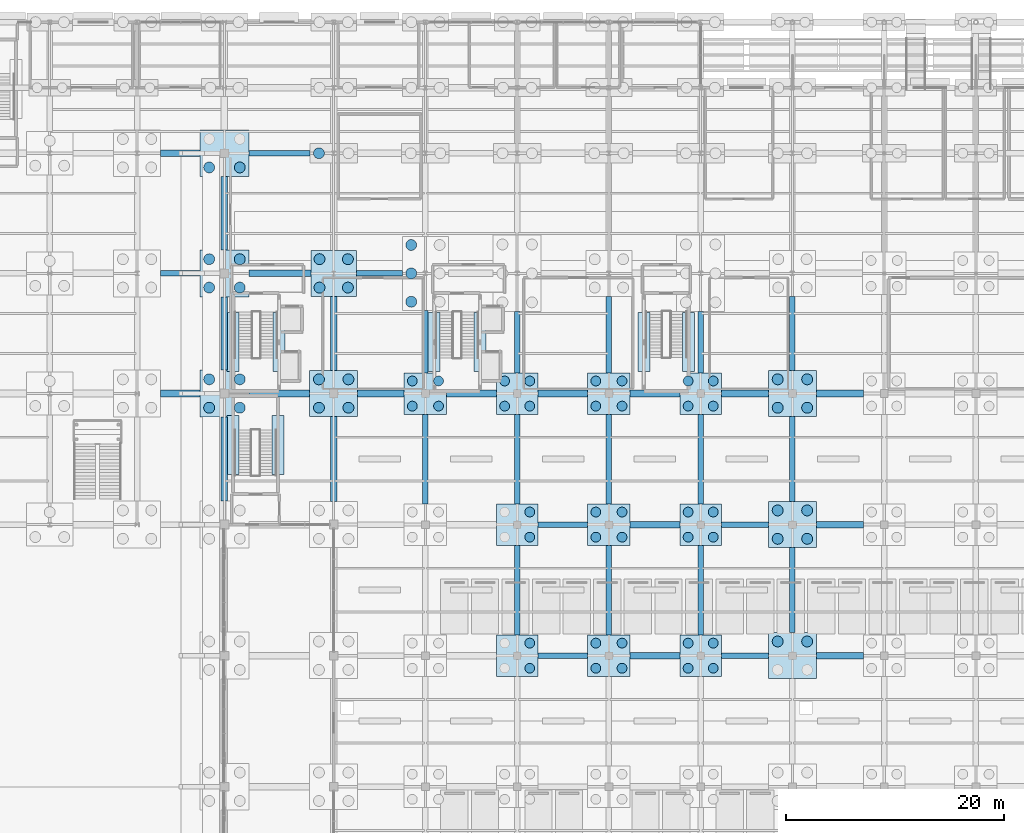
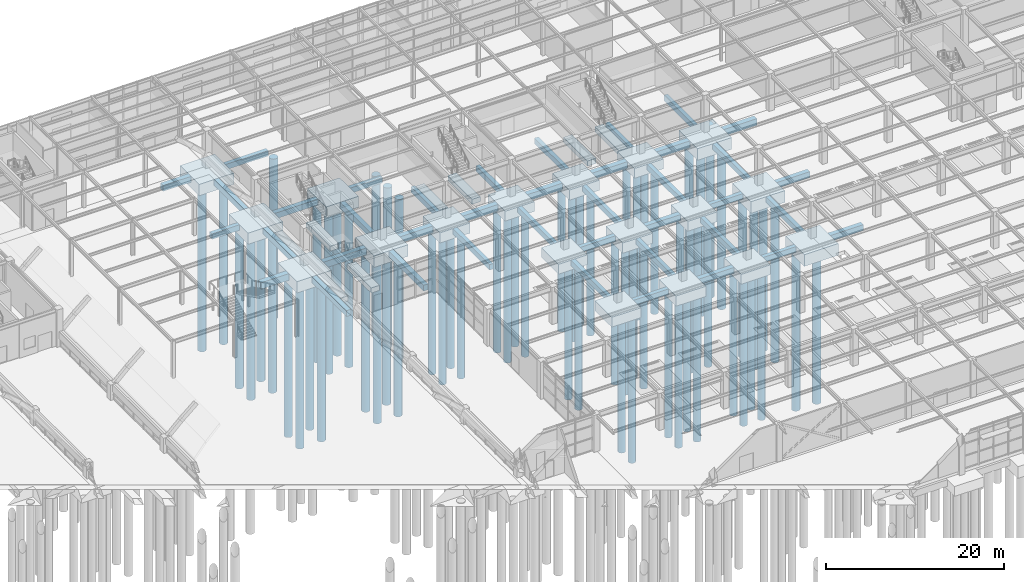
# One storey, part 7 of 129: 68 piles, 66 footings.
"""IFC4 building model written with IfcOpenShell, lengths in metres."""

from ifc_helpers import new_model, si_unit, direction, frame, origin, origin_2d, place, context, subcontext, project, spatial, rectangle, circle, extrude, material, material_profile, profile_set, type_object, element, save


model = new_model("IFC4")

# Units and contexts
model_context = context("Model", 3, precision=1e-05, world=origin(), true_north=direction((0.0, 1.0)))
body_context = subcontext(model_context, "Body", "Model", "MODEL_VIEW")
ifc_project = project(units=[si_unit("LENGTHUNIT", "METRE"), si_unit("AREAUNIT", "SQUARE_METRE"), si_unit("VOLUMEUNIT", "CUBIC_METRE"), si_unit("PLANEANGLEUNIT", "RADIAN"), si_unit("MASSUNIT", "GRAM", prefix="KILO")], contexts=[model_context])

# Site, building, storey
site_placement = place(None, origin())
site = spatial("IfcSite", under=ifc_project, at=site_placement, CompositionType="ELEMENT")
building_placement = place(site_placement, origin())
building = spatial("IfcBuilding", under=site, at=building_placement, Name="Sitalva Quay Ferry Terminal", CompositionType="ELEMENT")
storey_placement = place(building_placement, origin())
storey = spatial("IfcBuildingStorey", under=building, at=storey_placement, Name="L01", CompositionType="ELEMENT", Elevation=0.0)

# Footings
ifc_material_1 = material(Name="Concrete C35/45", Category="concrete")
ifc_material_profile_1 = material_profile(ifc_material_1, rectangle(XDim=0.5, YDim=0.75, at=origin_2d()), Name="RC500x750")
ifc_profile_set_1 = profile_set([ifc_material_profile_1], Name="Concrete C35/45")
footing_type_1 = type_object("IfcFootingType", Name="FootingBeam_500x750", PredefinedType="FOOTING_BEAM", material=ifc_profile_set_1)
footing_1_placement = place(storey_placement, frame((102.699951171875, 54.0, -0.824951171875), z_axis=(1.0, 0.0, 0.0), x_axis=(0.0, 1.0, 0.0)))
element("IfcFooting", 1, at=footing_1_placement, inside=storey, type_object=footing_type_1, Name="Foundation tie beam FBR1-X-087", PredefinedType="FOOTING_BEAM", context=body_context, shape_type="SweptSolid", body=[
    extrude(rectangle(XDim=0.5, YDim=0.75, at=origin_2d()), origin(), (0.0, 0.0, 1.0), 4.550048828125),
])
footing_2_placement = place(storey_placement, frame((119.5, 54.0, -0.824951171875), z_axis=(1.0, 0.0, 0.0), x_axis=(0.0, 1.0, 0.0)))
element("IfcFooting", 2, at=footing_2_placement, inside=storey, type_object=footing_type_1, Name="Foundation tie beam FBR1-X-089", PredefinedType="FOOTING_BEAM", context=body_context, shape_type="SweptSolid", body=[
    extrude(rectangle(XDim=0.5, YDim=0.75, at=origin_2d()), origin(), (0.0, 0.0, 1.0), 4.300048828125),
])
footing_3_placement = place(storey_placement, frame((102.699951171875, 66.0, -0.824951171875), z_axis=(1.0, 0.0, 0.0), x_axis=(0.0, 1.0, 0.0)))
element("IfcFooting", 3, at=footing_3_placement, inside=storey, type_object=footing_type_1, Name="Foundation tie beam FBR1-X-107", PredefinedType="FOOTING_BEAM", context=body_context, shape_type="SweptSolid", body=[
    extrude(rectangle(XDim=0.5, YDim=0.75, at=origin_2d()), origin(), (0.0, 0.0, 1.0), 4.550048828125),
])
footing_4_placement = place(storey_placement, frame((119.5, 66.0, -0.824951171875), z_axis=(1.0, 0.0, 0.0), x_axis=(0.0, 1.0, 0.0)))
element("IfcFooting", 4, at=footing_4_placement, inside=storey, type_object=footing_type_1, Name="Foundation tie beam FBR1-X-109", PredefinedType="FOOTING_BEAM", context=body_context, shape_type="SweptSolid", body=[
    extrude(rectangle(XDim=0.5, YDim=0.75, at=origin_2d()), origin(), (0.0, 0.0, 1.0), 4.300048828125),
])
footing_5_placement = place(storey_placement, frame((68.14990234375, 89.0, -0.824951171875), z_axis=(1.0, 0.0, 0.0), x_axis=(0.0, 1.0, 0.0)))
element("IfcFooting", 5, at=footing_5_placement, inside=storey, type_object=footing_type_1, Name="Foundation tie beam FBR1-X-143", PredefinedType="FOOTING_BEAM", context=body_context, shape_type="SweptSolid", body=[
    extrude(rectangle(XDim=0.5, YDim=0.75, at=origin_2d()), origin(), (0.0, 0.0, 1.0), 3.60009765625),
])
footing_6_placement = place(storey_placement, frame((86.10009765625, 89.0, -0.824951171875), z_axis=(1.0, 0.0, 0.0), x_axis=(0.0, 1.0, 0.0)))
element("IfcFooting", 6, at=footing_6_placement, inside=storey, type_object=footing_type_1, Name="Foundation tie beam FBR1-X-145", PredefinedType="FOOTING_BEAM", context=body_context, shape_type="SweptSolid", body=[
    extrude(rectangle(XDim=0.5, YDim=0.75, at=origin_2d()), origin(), (0.0, 0.0, 1.0), 4.199951171875),
])
footing_7_placement = place(storey_placement, frame((76.25, 100.0, -0.824951171875), z_axis=(1.0, 0.0, 0.0), x_axis=(0.0, 1.0, 0.0)))
element("IfcFooting", 7, at=footing_7_placement, inside=storey, type_object=footing_type_1, Name="Foundation tie beam FBR1-X-163", PredefinedType="FOOTING_BEAM", context=body_context, shape_type="SweptSolid", body=[
    extrude(rectangle(XDim=0.5, YDim=0.75, at=origin_2d()), origin(), (0.0, 0.0, 1.0), 5.574951171875),
])
footing_8_placement = place(storey_placement, frame((92.39990234375, 67.89990234375, -0.824951171875), z_axis=(0.0, 1.0, 0.0), x_axis=(-1.0, 0.0, 0.0)))
element("IfcFooting", 8, at=footing_8_placement, inside=storey, type_object=footing_type_1, Name="Foundation tie beam FBR1-Y-306", PredefinedType="FOOTING_BEAM", context=body_context, shape_type="SweptSolid", body=[
    extrude(rectangle(XDim=0.5, YDim=0.75, at=origin_2d()), origin(), (0.0, 0.0, 1.0), 8.2001953125),
])
footing_9_placement = place(storey_placement, frame((92.39990234375, 79.89990234375, -0.824951171875), z_axis=(0.0, 1.0, 0.0), x_axis=(-1.0, 0.0, 0.0)))
element("IfcFooting", 9, at=footing_9_placement, inside=storey, type_object=footing_type_1, Name="Foundation tie beam FBR1-Y-307", PredefinedType="FOOTING_BEAM", context=body_context, shape_type="SweptSolid", body=[
    extrude(rectangle(XDim=0.5, YDim=0.75, at=origin_2d()), origin(), (0.0, 0.0, 1.0), 5.7001953125),
])
for number, where, z_axis, x_axis, name in (
    (10, (100.800048828125, 55.89990234375, -0.824951171875), (0.0, 1.0, 0.0), (-1.0, 0.0, 0.0), "Foundation tie beam FBR1-Y-315"),
    (11, (100.800048828125, 67.89990234375, -0.824951171875), (0.0, 1.0, 0.0), (-1.0, 0.0, 0.0), "Foundation tie beam FBR1-Y-316"),
):
    element("IfcFooting", number, at=place(storey_placement, frame(where, z_axis=z_axis, x_axis=x_axis)), inside=storey, type_object=footing_type_1, Name=name, PredefinedType="FOOTING_BEAM", context=body_context, shape_type="SweptSolid", body=[
        extrude(rectangle(XDim=0.5, YDim=0.75, at=origin_2d()), origin(), (0.0, 0.0, 1.0), 8.2001953125),
    ])
footing_10_placement = place(storey_placement, frame((100.800048828125, 79.89990234375, -0.824951171875), z_axis=(0.0, 1.0, 0.0), x_axis=(-1.0, 0.0, 0.0)))
element("IfcFooting", 12, at=footing_10_placement, inside=storey, type_object=footing_type_1, Name="Foundation tie beam FBR1-Y-317", PredefinedType="FOOTING_BEAM", context=body_context, shape_type="SweptSolid", body=[
    extrude(rectangle(XDim=0.5, YDim=0.75, at=origin_2d()), origin(), (0.0, 0.0, 1.0), 5.60009765625),
])
for number, where, z_axis, x_axis, name in (
    (13, (109.199951171875, 55.89990234375, -0.824951171875), (0.0, 1.0, 0.0), (-1.0, 0.0, 0.0), "Foundation tie beam FBR1-Y-325"),
    (14, (109.199951171875, 67.89990234375, -0.824951171875), (0.0, 1.0, 0.0), (-1.0, 0.0, 0.0), "Foundation tie beam FBR1-Y-326"),
):
    element("IfcFooting", number, at=place(storey_placement, frame(where, z_axis=z_axis, x_axis=x_axis)), inside=storey, type_object=footing_type_1, Name=name, PredefinedType="FOOTING_BEAM", context=body_context, shape_type="SweptSolid", body=[
        extrude(rectangle(XDim=0.5, YDim=0.75, at=origin_2d()), origin(), (0.0, 0.0, 1.0), 8.2001953125),
    ])
footing_11_placement = place(storey_placement, frame((109.199951171875, 79.89990234375, -0.824951171875), z_axis=(0.0, 1.0, 0.0), x_axis=(-1.0, 0.0, 0.0)))
element("IfcFooting", 15, at=footing_11_placement, inside=storey, type_object=footing_type_1, Name="Foundation tie beam FBR1-Y-327", PredefinedType="FOOTING_BEAM", context=body_context, shape_type="SweptSolid", body=[
    extrude(rectangle(XDim=0.5, YDim=0.75, at=origin_2d()), origin(), (0.0, 0.0, 1.0), 7.0),
])
for number, where, z_axis, x_axis, name in (
    (16, (117.60009765625, 55.89990234375, -0.824951171875), (0.0, 1.0, 0.0), (-1.0, 0.0, 0.0), "Foundation tie beam FBR1-Y-335"),
    (17, (117.60009765625, 67.89990234375, -0.824951171875), (0.0, 1.0, 0.0), (-1.0, 0.0, 0.0), "Foundation tie beam FBR1-Y-336"),
):
    element("IfcFooting", number, at=place(storey_placement, frame(where, z_axis=z_axis, x_axis=x_axis)), inside=storey, type_object=footing_type_1, Name=name, PredefinedType="FOOTING_BEAM", context=body_context, shape_type="SweptSolid", body=[
        extrude(rectangle(XDim=0.5, YDim=0.75, at=origin_2d()), origin(), (0.0, 0.0, 1.0), 8.2001953125),
    ])
footing_12_placement = place(storey_placement, frame((117.60009765625, 79.89990234375, -0.824951171875), z_axis=(0.0, 1.0, 0.0), x_axis=(-1.0, 0.0, 0.0)))
element("IfcFooting", 18, at=footing_12_placement, inside=storey, type_object=footing_type_1, Name="Foundation tie beam FBR1-Y-337", PredefinedType="FOOTING_BEAM", context=body_context, shape_type="SweptSolid", body=[
    extrude(rectangle(XDim=0.5, YDim=0.75, at=origin_2d()), origin(), (0.0, 0.0, 1.0), 5.60009765625),
])
for number, where, z_axis, x_axis, name in (
    (19, (126.0, 56.10009765625, -0.824951171875), (0.0, 1.0, 0.0), (-1.0, 0.0, 0.0), "Foundation tie beam FBR1-Y-345"),
    (20, (126.0, 68.10009765625, -0.824951171875), (0.0, 1.0, 0.0), (-1.0, 0.0, 0.0), "Foundation tie beam FBR1-Y-346"),
):
    element("IfcFooting", number, at=place(storey_placement, frame(where, z_axis=z_axis, x_axis=x_axis)), inside=storey, type_object=footing_type_1, Name=name, PredefinedType="FOOTING_BEAM", context=body_context, shape_type="SweptSolid", body=[
        extrude(rectangle(XDim=0.5, YDim=0.75, at=origin_2d()), origin(), (0.0, 0.0, 1.0), 7.7998046875),
    ])
footing_13_placement = place(storey_placement, frame((126.0, 80.10009765625, -0.824951171875), z_axis=(0.0, 1.0, 0.0), x_axis=(-1.0, 0.0, 0.0)))
element("IfcFooting", 21, at=footing_13_placement, inside=storey, type_object=footing_type_1, Name="Foundation tie beam FBR1-Y-347", PredefinedType="FOOTING_BEAM", context=body_context, shape_type="SweptSolid", body=[
    extrude(rectangle(XDim=0.5, YDim=0.75, at=origin_2d()), origin(), (0.0, 0.0, 1.0), 6.7998046875),
])
ifc_material_2 = material(Name="Concrete C35/45", Category="concrete")
ifc_material_profile_2 = material_profile(ifc_material_2, rectangle(XDim=0.60009765625, YDim=0.800048828125, at=origin_2d()), Name="RC600x800")
ifc_profile_set_2 = profile_set([ifc_material_profile_2], Name="Concrete C35/45")
footing_type_2 = type_object("IfcFootingType", Name="FootingBeam_600x800", PredefinedType="FOOTING_BEAM", material=ifc_profile_set_2)
footing_14_placement = place(storey_placement, frame((111.14990234375, 54.0, -0.85009765625), z_axis=(1.0, 0.0, 0.0), x_axis=(0.0, 1.0, 0.0)))
element("IfcFooting", 22, at=footing_14_placement, inside=storey, type_object=footing_type_2, Name="Foundation tie beam FBR1-X-088", PredefinedType="FOOTING_BEAM", context=body_context, shape_type="SweptSolid", body=[
    extrude(rectangle(XDim=0.60009765625, YDim=0.800048828125, at=origin_2d()), origin(), (0.0, 0.0, 1.0), 4.550048828125),
])
footing_15_placement = place(storey_placement, frame((128.199951171875, 54.0, -0.85009765625), z_axis=(1.0, 0.0, 0.0), x_axis=(0.0, 1.0, 0.0)))
element("IfcFooting", 23, at=footing_15_placement, inside=storey, type_object=footing_type_2, Name="Foundation tie beam FBR1-X-090", PredefinedType="FOOTING_BEAM", context=body_context, shape_type="SweptSolid", body=[
    extrude(rectangle(XDim=0.60009765625, YDim=0.800048828125, at=origin_2d()), origin(), (0.0, 0.0, 1.0), 4.300048828125),
])
footing_16_placement = place(storey_placement, frame((111.14990234375, 66.0, -0.85009765625), z_axis=(1.0, 0.0, 0.0), x_axis=(0.0, 1.0, 0.0)))
element("IfcFooting", 24, at=footing_16_placement, inside=storey, type_object=footing_type_2, Name="Foundation tie beam FBR1-X-108", PredefinedType="FOOTING_BEAM", context=body_context, shape_type="SweptSolid", body=[
    extrude(rectangle(XDim=0.60009765625, YDim=0.800048828125, at=origin_2d()), origin(), (0.0, 0.0, 1.0), 4.550048828125),
])
footing_17_placement = place(storey_placement, frame((128.199951171875, 66.0, -0.85009765625), z_axis=(1.0, 0.0, 0.0), x_axis=(0.0, 1.0, 0.0)))
element("IfcFooting", 25, at=footing_17_placement, inside=storey, type_object=footing_type_2, Name="Foundation tie beam FBR1-X-110", PredefinedType="FOOTING_BEAM", context=body_context, shape_type="SweptSolid", body=[
    extrude(rectangle(XDim=0.60009765625, YDim=0.800048828125, at=origin_2d()), origin(), (0.0, 0.0, 1.0), 4.300048828125),
])
footing_18_placement = place(storey_placement, frame((76.25, 89.0, -0.85009765625), z_axis=(1.0, 0.0, 0.0), x_axis=(0.0, 1.0, 0.0)))
element("IfcFooting", 26, at=footing_18_placement, inside=storey, type_object=footing_type_2, Name="Foundation tie beam FBR1-X-144", PredefinedType="FOOTING_BEAM", context=body_context, shape_type="SweptSolid", body=[
    extrude(rectangle(XDim=0.60009765625, YDim=0.800048828125, at=origin_2d()), origin(), (0.0, 0.0, 1.0), 5.64990234375),
])
footing_19_placement = place(storey_placement, frame((68.14990234375, 100.0, -0.85009765625), z_axis=(1.0, 0.0, 0.0), x_axis=(0.0, 1.0, 0.0)))
element("IfcFooting", 27, at=footing_19_placement, inside=storey, type_object=footing_type_2, Name="Foundation tie beam FBR1-X-162", PredefinedType="FOOTING_BEAM", context=body_context, shape_type="SweptSolid", body=[
    extrude(rectangle(XDim=0.60009765625, YDim=0.800048828125, at=origin_2d()), origin(), (0.0, 0.0, 1.0), 3.60009765625),
])
footing_20_placement = place(storey_placement, frame((74.0, 68.14990234375, -0.85009765625), z_axis=(0.0, 1.0, 0.0), x_axis=(-1.0, 0.0, 0.0)))
element("IfcFooting", 28, at=footing_20_placement, inside=storey, type_object=footing_type_2, Name="Foundation tie beam FBR1-Y-286", PredefinedType="FOOTING_BEAM", context=body_context, shape_type="SweptSolid", body=[
    extrude(rectangle(XDim=0.60009765625, YDim=0.800048828125, at=origin_2d()), origin(), (0.0, 0.0, 1.0), 7.7001953125),
])
for number, where, z_axis, x_axis, name in (
    (29, (74.0, 80.14990234375, -0.85009765625), (0.0, 1.0, 0.0), (-1.0, 0.0, 0.0), "Foundation tie beam FBR1-Y-287"),
    (30, (74.0, 91.14990234375, -0.85009765625), (0.0, 1.0, 0.0), (-1.0, 0.0, 0.0), "Foundation tie beam FBR1-Y-288"),
):
    element("IfcFooting", number, at=place(storey_placement, frame(where, z_axis=z_axis, x_axis=x_axis)), inside=storey, type_object=footing_type_2, Name=name, PredefinedType="FOOTING_BEAM", context=body_context, shape_type="SweptSolid", body=[
        extrude(rectangle(XDim=0.60009765625, YDim=0.800048828125, at=origin_2d()), origin(), (0.0, 0.0, 1.0), 6.7001953125),
    ])
footing_21_placement = place(storey_placement, frame((84.0, 68.10009765625, -0.85009765625), z_axis=(0.0, 1.0, 0.0), x_axis=(-1.0, 0.0, 0.0)))
element("IfcFooting", 31, at=footing_21_placement, inside=storey, type_object=footing_type_2, Name="Foundation tie beam FBR1-Y-296", PredefinedType="FOOTING_BEAM", context=body_context, shape_type="SweptSolid", body=[
    extrude(rectangle(XDim=0.60009765625, YDim=0.800048828125, at=origin_2d()), origin(), (0.0, 0.0, 1.0), 7.7998046875),
])
footing_22_placement = place(storey_placement, frame((84.0, 80.10009765625, -0.85009765625), z_axis=(0.0, 1.0, 0.0), x_axis=(-1.0, 0.0, 0.0)))
element("IfcFooting", 32, at=footing_22_placement, inside=storey, type_object=footing_type_2, Name="Foundation tie beam FBR1-Y-297", PredefinedType="FOOTING_BEAM", context=body_context, shape_type="SweptSolid", body=[
    extrude(rectangle(XDim=0.60009765625, YDim=0.800048828125, at=origin_2d()), origin(), (0.0, 0.0, 1.0), 6.7998046875),
])
ifc_material_3 = material(Name="Concrete C35/45", Category="concrete")
ifc_material_profile_3 = material_profile(ifc_material_3, rectangle(XDim=0.64990234375, YDim=0.89990234375, at=origin_2d()), Name="RC650x900")
ifc_profile_set_3 = profile_set([ifc_material_profile_3], Name="Concrete C35/45")
footing_type_3 = type_object("IfcFootingType", Name="FootingBeam_650x900", PredefinedType="FOOTING_BEAM", material=ifc_profile_set_3)
footing_23_placement = place(storey_placement, frame((68.14990234375, 78.0, -0.89990234375), z_axis=(1.0, 0.0, 0.0), x_axis=(0.0, 1.0, 0.0)))
element("IfcFooting", 33, at=footing_23_placement, inside=storey, type_object=footing_type_3, Name="Foundation tie beam FBR1-X-123", PredefinedType="FOOTING_BEAM", context=body_context, shape_type="SweptSolid", body=[
    extrude(rectangle(XDim=0.64990234375, YDim=0.89990234375, at=origin_2d()), origin(), (0.0, 0.0, 1.0), 3.60009765625),
])
footing_24_placement = place(storey_placement, frame((76.25, 78.0, -0.89990234375), z_axis=(1.0, 0.0, 0.0), x_axis=(0.0, 1.0, 0.0)))
element("IfcFooting", 34, at=footing_24_placement, inside=storey, type_object=footing_type_3, Name="Foundation tie beam FBR1-X-124", PredefinedType="FOOTING_BEAM", context=body_context, shape_type="SweptSolid", body=[
    extrude(rectangle(XDim=0.64990234375, YDim=0.89990234375, at=origin_2d()), origin(), (0.0, 0.0, 1.0), 5.550048828125),
])
footing_25_placement = place(storey_placement, frame((86.199951171875, 78.0, -0.89990234375), z_axis=(1.0, 0.0, 0.0), x_axis=(0.0, 1.0, 0.0)))
element("IfcFooting", 35, at=footing_25_placement, inside=storey, type_object=footing_type_3, Name="Foundation tie beam FBR1-X-125", PredefinedType="FOOTING_BEAM", context=body_context, shape_type="SweptSolid", body=[
    extrude(rectangle(XDim=0.64990234375, YDim=0.89990234375, at=origin_2d()), origin(), (0.0, 0.0, 1.0), 4.25),
])
footing_26_placement = place(storey_placement, frame((94.35009765625, 78.0, -0.89990234375), z_axis=(1.0, 0.0, 0.0), x_axis=(0.0, 1.0, 0.0)))
element("IfcFooting", 36, at=footing_26_placement, inside=storey, type_object=footing_type_3, Name="Foundation tie beam FBR1-X-126", PredefinedType="FOOTING_BEAM", context=body_context, shape_type="SweptSolid", body=[
    extrude(rectangle(XDim=0.64990234375, YDim=0.89990234375, at=origin_2d()), origin(), (0.0, 0.0, 1.0), 4.5498046875),
])
for number, where, z_axis, x_axis, name in (
    (37, (102.699951171875, 78.0, -0.89990234375), (1.0, 0.0, 0.0), (0.0, 1.0, 0.0), "Foundation tie beam FBR1-X-127"),
    (38, (111.14990234375, 78.0, -0.89990234375), (1.0, 0.0, 0.0), (0.0, 1.0, 0.0), "Foundation tie beam FBR1-X-128"),
):
    element("IfcFooting", number, at=place(storey_placement, frame(where, z_axis=z_axis, x_axis=x_axis)), inside=storey, type_object=footing_type_3, Name=name, PredefinedType="FOOTING_BEAM", context=body_context, shape_type="SweptSolid", body=[
        extrude(rectangle(XDim=0.64990234375, YDim=0.89990234375, at=origin_2d()), origin(), (0.0, 0.0, 1.0), 4.550048828125),
    ])
for number, where, z_axis, x_axis, name in (
    (39, (119.5, 78.0, -0.89990234375), (1.0, 0.0, 0.0), (0.0, 1.0, 0.0), "Foundation tie beam FBR1-X-129"),
    (40, (128.199951171875, 78.0, -0.89990234375), (1.0, 0.0, 0.0), (0.0, 1.0, 0.0), "Foundation tie beam FBR1-X-130"),
):
    element("IfcFooting", number, at=place(storey_placement, frame(where, z_axis=z_axis, x_axis=x_axis)), inside=storey, type_object=footing_type_3, Name=name, PredefinedType="FOOTING_BEAM", context=body_context, shape_type="SweptSolid", body=[
        extrude(rectangle(XDim=0.64990234375, YDim=0.89990234375, at=origin_2d()), origin(), (0.0, 0.0, 1.0), 4.300048828125),
    ])
ifc_material_4 = material(Name="Concrete C35/45", Category="concrete")
footing_type_4 = type_object("IfcFootingType", Name="PileCap_4P_D1000_A", PredefinedType="PILE_CAP", material=ifc_material_4)
footing_27_placement = place(storey_placement, frame((84.0, 89.0, -1.949951171875), z_axis=(0.0, 0.0, 1.0), x_axis=(1.0, 0.0, 0.0)))
element("IfcFooting", 41, at=footing_27_placement, inside=storey, type_object=footing_type_4, Name="Pile cap PC-03 at 11K", PredefinedType="PILE_CAP", context=body_context, shape_type="SweptSolid", body=[
    extrude(rectangle(XDim=4.199951171875, YDim=4.199951171875, at=origin_2d()), origin(), (0.0, 0.0, 1.0), 1.5),
])
ifc_material_5 = material(Name="Concrete C35/45", Category="concrete")
footing_type_5 = type_object("IfcFootingType", Name="PileCap_4P_D1000_C", PredefinedType="PILE_CAP", material=ifc_material_5)
for number, where, z_axis, x_axis, name in (
    (42, (126.0, 54.0, -2.050048828125), (0.0, 0.0, 1.0), (1.0, 0.0, 0.0), "Pile cap PC-05 at 16G"),
    (43, (126.0, 66.0, -2.050048828125), (0.0, 0.0, 1.0), (1.0, 0.0, 0.0), "Pile cap PC-05 at 16H"),
    (44, (84.0, 78.0, -2.050048828125), (0.0, 0.0, 1.0), (1.0, 0.0, 0.0), "Pile cap PC-05 at 11J"),
    (45, (126.0, 78.0, -2.050048828125), (0.0, 0.0, 1.0), (1.0, 0.0, 0.0), "Pile cap PC-05 at 16J"),
):
    element("IfcFooting", number, at=place(storey_placement, frame(where, z_axis=z_axis, x_axis=x_axis)), inside=storey, type_object=footing_type_5, Name=name, PredefinedType="PILE_CAP", context=body_context, shape_type="SweptSolid", body=[
        extrude(rectangle(XDim=4.39990234375, YDim=4.199951171875, at=origin_2d()), origin(), (0.0, 0.0, 1.0), 1.60009765625),
    ])
ifc_material_6 = material(Name="Concrete C35/45", Category="concrete")
footing_type_6 = type_object("IfcFootingType", Name="PileCap_4P_D1000_V1", PredefinedType="PILE_CAP", material=ifc_material_6)
for number, where, z_axis, x_axis, name in (
    (46, (74.0, 78.0, -2.0), (0.0, 0.0, 1.0), (1.0, 0.0, 0.0), "Pile cap PC-06 at 10J"),
    (47, (74.0, 89.0, -2.0), (0.0, 0.0, 1.0), (1.0, 0.0, 0.0), "Pile cap PC-06 at 10K"),
    (48, (74.0, 100.0, -2.0), (0.0, 0.0, 1.0), (1.0, 0.0, 0.0), "Pile cap PC-06 at 10L"),
):
    element("IfcFooting", number, at=place(storey_placement, frame(where, z_axis=z_axis, x_axis=x_axis)), inside=storey, type_object=footing_type_6, Name=name, PredefinedType="PILE_CAP", context=body_context, shape_type="SweptSolid", body=[
        extrude(rectangle(XDim=4.5, YDim=4.300048828125, at=origin_2d()), origin(), (0.0, 0.0, 1.0), 1.550048828125),
    ])
ifc_material_7 = material(Name="Concrete C35/45", Category="concrete")
footing_type_7 = type_object("IfcFootingType", Name="PileCap_4P_D900_A", PredefinedType="PILE_CAP", material=ifc_material_7)
for number, where, z_axis, x_axis, name in (
    (49, (100.800048828125, 54.0, -1.800048828125), (0.0, 0.0, 1.0), (1.0, 0.0, 0.0), "Pile cap PC-07 at 13G"),
    (50, (117.60009765625, 54.0, -1.800048828125), (0.0, 0.0, 1.0), (1.0, 0.0, 0.0), "Pile cap PC-07 at 15G"),
    (51, (100.800048828125, 66.0, -1.800048828125), (0.0, 0.0, 1.0), (1.0, 0.0, 0.0), "Pile cap PC-07 at 13H"),
    (52, (117.60009765625, 66.0, -1.800048828125), (0.0, 0.0, 1.0), (1.0, 0.0, 0.0), "Pile cap PC-07 at 15H"),
    (53, (100.800048828125, 78.0, -1.800048828125), (0.0, 0.0, 1.0), (1.0, 0.0, 0.0), "Pile cap PC-07 at 13J"),
    (54, (117.60009765625, 78.0, -1.800048828125), (0.0, 0.0, 1.0), (1.0, 0.0, 0.0), "Pile cap PC-07 at 15J"),
):
    element("IfcFooting", number, at=place(storey_placement, frame(where, z_axis=z_axis, x_axis=x_axis)), inside=storey, type_object=footing_type_7, Name=name, PredefinedType="PILE_CAP", context=body_context, shape_type="SweptSolid", body=[
        extrude(rectangle(XDim=3.800048828125, YDim=3.800048828125, at=origin_2d()), origin(), (0.0, 0.0, 1.0), 1.35009765625),
    ])
ifc_material_8 = material(Name="Concrete C35/45", Category="concrete")
footing_type_8 = type_object("IfcFootingType", Name="PileCap_4P_D900_B", PredefinedType="PILE_CAP", material=ifc_material_8)
for number, where, z_axis, x_axis, name in (
    (55, (109.199951171875, 54.0, -1.849853515625), (0.0, 0.0, 1.0), (1.0, 0.0, 0.0), "Pile cap PC-08 at 14G"),
    (56, (109.199951171875, 66.0, -1.849853515625), (0.0, 0.0, 1.0), (1.0, 0.0, 0.0), "Pile cap PC-08 at 14H"),
    (57, (92.39990234375, 78.0, -1.849853515625), (0.0, 0.0, 1.0), (1.0, 0.0, 0.0), "Pile cap PC-08 at 12J"),
    (58, (109.199951171875, 78.0, -1.849853515625), (0.0, 0.0, 1.0), (1.0, 0.0, 0.0), "Pile cap PC-08 at 14J"),
):
    element("IfcFooting", number, at=place(storey_placement, frame(where, z_axis=z_axis, x_axis=x_axis)), inside=storey, type_object=footing_type_8, Name=name, PredefinedType="PILE_CAP", context=body_context, shape_type="SweptSolid", body=[
        extrude(rectangle(XDim=3.89990234375, YDim=3.800048828125, at=origin_2d()), origin(), (0.0, 0.0, 1.0), 1.39990234375),
    ])

# Piles
ifc_material_9 = material(Name="Concrete C35/45", Category="concrete")
ifc_material_profile_4 = material_profile(ifc_material_9, circle(Radius=0.5, at=origin_2d()), Name="PILE-D1000")
ifc_profile_set_4 = profile_set([ifc_material_profile_4], Name="Concrete C35/45")
pile_type_1 = type_object("IfcPileType", Name="Pile_Bored_D1000", PredefinedType="BORED", material=ifc_profile_set_4)
for number, where, z_axis, x_axis, name in (
    (59, (124.64990234375, 55.300048828125, -1.949951171875), (0.0, 0.0, -1.0), (1.0, 0.0, 0.0), "Bored pile 16G-P3"),
    (60, (127.35009765625, 55.300048828125, -1.949951171875), (0.0, 0.0, -1.0), (1.0, 0.0, 0.0), "Bored pile 16G-P4"),
    (61, (124.64990234375, 64.699951171875, -1.949951171875), (0.0, 0.0, -1.0), (1.0, 0.0, 0.0), "Bored pile 16H-P1"),
    (62, (127.35009765625, 64.699951171875, -1.949951171875), (0.0, 0.0, -1.0), (1.0, 0.0, 0.0), "Bored pile 16H-P2"),
    (63, (124.64990234375, 67.300048828125, -1.949951171875), (0.0, 0.0, -1.0), (1.0, 0.0, 0.0), "Bored pile 16H-P3"),
    (64, (127.35009765625, 67.300048828125, -1.949951171875), (0.0, 0.0, -1.0), (1.0, 0.0, 0.0), "Bored pile 16H-P4"),
    (65, (72.60009765625, 76.699951171875, -1.89990234375), (0.0, 0.0, -1.0), (1.0, 0.0, 0.0), "Bored pile 10J-P1"),
    (66, (75.39990234375, 76.699951171875, -1.89990234375), (0.0, 0.0, -1.0), (1.0, 0.0, 0.0), "Bored pile 10J-P2"),
    (67, (72.60009765625, 79.300048828125, -1.89990234375), (0.0, 0.0, -1.0), (1.0, 0.0, 0.0), "Bored pile 10J-P3"),
    (68, (75.39990234375, 79.300048828125, -1.89990234375), (0.0, 0.0, -1.0), (1.0, 0.0, 0.0), "Bored pile 10J-P4"),
    (69, (82.64990234375, 76.699951171875, -1.949951171875), (0.0, 0.0, -1.0), (1.0, 0.0, 0.0), "Bored pile 11J-P1"),
    (70, (85.35009765625, 76.699951171875, -1.949951171875), (0.0, 0.0, -1.0), (1.0, 0.0, 0.0), "Bored pile 11J-P2"),
    (71, (82.64990234375, 79.300048828125, -1.949951171875), (0.0, 0.0, -1.0), (1.0, 0.0, 0.0), "Bored pile 11J-P3"),
    (72, (85.35009765625, 79.300048828125, -1.949951171875), (0.0, 0.0, -1.0), (1.0, 0.0, 0.0), "Bored pile 11J-P4"),
    (73, (124.64990234375, 76.699951171875, -1.949951171875), (0.0, 0.0, -1.0), (1.0, 0.0, 0.0), "Bored pile 16J-P1"),
    (74, (127.35009765625, 76.699951171875, -1.949951171875), (0.0, 0.0, -1.0), (1.0, 0.0, 0.0), "Bored pile 16J-P2"),
    (75, (124.64990234375, 79.300048828125, -1.949951171875), (0.0, 0.0, -1.0), (1.0, 0.0, 0.0), "Bored pile 16J-P3"),
    (76, (127.35009765625, 79.300048828125, -1.949951171875), (0.0, 0.0, -1.0), (1.0, 0.0, 0.0), "Bored pile 16J-P4"),
    (77, (72.60009765625, 87.699951171875, -1.89990234375), (0.0, 0.0, -1.0), (1.0, 0.0, 0.0), "Bored pile 10K-P1"),
    (78, (75.39990234375, 87.699951171875, -1.89990234375), (0.0, 0.0, -1.0), (1.0, 0.0, 0.0), "Bored pile 10K-P2"),
    (79, (72.60009765625, 90.300048828125, -1.89990234375), (0.0, 0.0, -1.0), (1.0, 0.0, 0.0), "Bored pile 10K-P3"),
    (80, (75.39990234375, 90.300048828125, -1.89990234375), (0.0, 0.0, -1.0), (1.0, 0.0, 0.0), "Bored pile 10K-P4"),
    (81, (82.699951171875, 87.699951171875, -1.85009765625), (0.0, 0.0, -1.0), (1.0, 0.0, 0.0), "Bored pile 11K-P1"),
    (82, (85.300048828125, 87.699951171875, -1.85009765625), (0.0, 0.0, -1.0), (1.0, 0.0, 0.0), "Bored pile 11K-P2"),
    (83, (82.699951171875, 90.300048828125, -1.85009765625), (0.0, 0.0, -1.0), (1.0, 0.0, 0.0), "Bored pile 11K-P3"),
    (84, (85.300048828125, 90.300048828125, -1.85009765625), (0.0, 0.0, -1.0), (1.0, 0.0, 0.0), "Bored pile 11K-P4"),
    (85, (91.10009765625, 86.39990234375, -2.0), (0.0, 0.0, -1.0), (1.0, 0.0, 0.0), "Bored pile 12K-P1"),
    (86, (91.10009765625, 89.0, -2.0), (0.0, 0.0, -1.0), (1.0, 0.0, 0.0), "Bored pile 12K-P3"),
    (87, (91.10009765625, 91.60009765625, -2.0), (0.0, 0.0, -1.0), (1.0, 0.0, 0.0), "Bored pile 12K-P5"),
    (88, (72.60009765625, 98.699951171875, -1.89990234375), (0.0, 0.0, -1.0), (1.0, 0.0, 0.0), "Bored pile 10L-P1"),
    (89, (75.39990234375, 98.699951171875, -1.89990234375), (0.0, 0.0, -1.0), (1.0, 0.0, 0.0), "Bored pile 10L-P2"),
    (90, (82.64990234375, 100.0, -1.75), (0.0, 0.0, -1.0), (1.0, 0.0, 0.0), "Bored pile 11L-P1"),
):
    element("IfcPile", number, at=place(storey_placement, frame(where, z_axis=z_axis, x_axis=x_axis)), inside=storey, type_object=pile_type_1, Name=name, PredefinedType="BORED", context=body_context, shape_type="SweptSolid", body=[
        extrude(circle(Radius=0.5, at=origin_2d()), origin(), (0.0, 0.0, 1.0), 22.0),
    ])
ifc_material_10 = material(Name="Concrete C35/45", Category="concrete")
ifc_material_profile_5 = material_profile(ifc_material_10, circle(Radius=0.449951171875, at=origin_2d()), Name="PILE-D900")
ifc_profile_set_5 = profile_set([ifc_material_profile_5], Name="Concrete C35/45")
pile_type_2 = type_object("IfcPileType", Name="Pile_Bored_D900", PredefinedType="BORED", material=ifc_profile_set_5)
for number, where, z_axis, x_axis, name in (
    (91, (101.949951171875, 52.85009765625, -1.699951171875), (0.0, 0.0, -1.0), (1.0, 0.0, 0.0), "Bored pile 13G-P2"),
    (92, (101.949951171875, 55.14990234375, -1.699951171875), (0.0, 0.0, -1.0), (1.0, 0.0, 0.0), "Bored pile 13G-P4"),
    (93, (108.0, 52.85009765625, -1.75), (0.0, 0.0, -1.0), (1.0, 0.0, 0.0), "Bored pile 14G-P1"),
    (94, (110.39990234375, 52.85009765625, -1.75), (0.0, 0.0, -1.0), (1.0, 0.0, 0.0), "Bored pile 14G-P2"),
    (95, (108.0, 55.14990234375, -1.75), (0.0, 0.0, -1.0), (1.0, 0.0, 0.0), "Bored pile 14G-P3"),
    (96, (110.39990234375, 55.14990234375, -1.75), (0.0, 0.0, -1.0), (1.0, 0.0, 0.0), "Bored pile 14G-P4"),
    (97, (116.449951171875, 52.85009765625, -1.699951171875), (0.0, 0.0, -1.0), (1.0, 0.0, 0.0), "Bored pile 15G-P1"),
    (98, (118.75, 52.85009765625, -1.699951171875), (0.0, 0.0, -1.0), (1.0, 0.0, 0.0), "Bored pile 15G-P2"),
    (99, (116.449951171875, 55.14990234375, -1.699951171875), (0.0, 0.0, -1.0), (1.0, 0.0, 0.0), "Bored pile 15G-P3"),
    (100, (118.75, 55.14990234375, -1.699951171875), (0.0, 0.0, -1.0), (1.0, 0.0, 0.0), "Bored pile 15G-P4"),
    (101, (101.949951171875, 64.85009765625, -1.699951171875), (0.0, 0.0, -1.0), (1.0, 0.0, 0.0), "Bored pile 13H-P2"),
    (102, (101.949951171875, 67.14990234375, -1.699951171875), (0.0, 0.0, -1.0), (1.0, 0.0, 0.0), "Bored pile 13H-P4"),
    (103, (108.0, 64.85009765625, -1.75), (0.0, 0.0, -1.0), (1.0, 0.0, 0.0), "Bored pile 14H-P1"),
    (104, (110.39990234375, 64.85009765625, -1.75), (0.0, 0.0, -1.0), (1.0, 0.0, 0.0), "Bored pile 14H-P2"),
    (105, (108.0, 67.14990234375, -1.75), (0.0, 0.0, -1.0), (1.0, 0.0, 0.0), "Bored pile 14H-P3"),
    (106, (110.39990234375, 67.14990234375, -1.75), (0.0, 0.0, -1.0), (1.0, 0.0, 0.0), "Bored pile 14H-P4"),
    (107, (116.449951171875, 64.85009765625, -1.699951171875), (0.0, 0.0, -1.0), (1.0, 0.0, 0.0), "Bored pile 15H-P1"),
    (108, (118.75, 64.85009765625, -1.699951171875), (0.0, 0.0, -1.0), (1.0, 0.0, 0.0), "Bored pile 15H-P2"),
    (109, (116.449951171875, 67.14990234375, -1.699951171875), (0.0, 0.0, -1.0), (1.0, 0.0, 0.0), "Bored pile 15H-P3"),
    (110, (118.75, 67.14990234375, -1.699951171875), (0.0, 0.0, -1.0), (1.0, 0.0, 0.0), "Bored pile 15H-P4"),
    (111, (91.199951171875, 76.85009765625, -1.75), (0.0, 0.0, -1.0), (1.0, 0.0, 0.0), "Bored pile 12J-P1"),
    (112, (93.60009765625, 76.85009765625, -1.75), (0.0, 0.0, -1.0), (1.0, 0.0, 0.0), "Bored pile 12J-P2"),
    (113, (91.199951171875, 79.14990234375, -1.75), (0.0, 0.0, -1.0), (1.0, 0.0, 0.0), "Bored pile 12J-P3"),
    (114, (93.60009765625, 79.14990234375, -1.75), (0.0, 0.0, -1.0), (1.0, 0.0, 0.0), "Bored pile 12J-P4"),
    (115, (99.64990234375, 76.85009765625, -1.699951171875), (0.0, 0.0, -1.0), (1.0, 0.0, 0.0), "Bored pile 13J-P1"),
    (116, (101.949951171875, 76.85009765625, -1.699951171875), (0.0, 0.0, -1.0), (1.0, 0.0, 0.0), "Bored pile 13J-P2"),
    (117, (99.64990234375, 79.14990234375, -1.699951171875), (0.0, 0.0, -1.0), (1.0, 0.0, 0.0), "Bored pile 13J-P3"),
    (118, (101.949951171875, 79.14990234375, -1.699951171875), (0.0, 0.0, -1.0), (1.0, 0.0, 0.0), "Bored pile 13J-P4"),
    (119, (108.0, 76.85009765625, -1.75), (0.0, 0.0, -1.0), (1.0, 0.0, 0.0), "Bored pile 14J-P1"),
    (120, (110.39990234375, 76.85009765625, -1.75), (0.0, 0.0, -1.0), (1.0, 0.0, 0.0), "Bored pile 14J-P2"),
    (121, (108.0, 79.14990234375, -1.75), (0.0, 0.0, -1.0), (1.0, 0.0, 0.0), "Bored pile 14J-P3"),
    (122, (110.39990234375, 79.14990234375, -1.75), (0.0, 0.0, -1.0), (1.0, 0.0, 0.0), "Bored pile 14J-P4"),
    (123, (116.449951171875, 76.85009765625, -1.699951171875), (0.0, 0.0, -1.0), (1.0, 0.0, 0.0), "Bored pile 15J-P1"),
    (124, (118.75, 76.85009765625, -1.699951171875), (0.0, 0.0, -1.0), (1.0, 0.0, 0.0), "Bored pile 15J-P2"),
    (125, (116.449951171875, 79.14990234375, -1.699951171875), (0.0, 0.0, -1.0), (1.0, 0.0, 0.0), "Bored pile 15J-P3"),
    (126, (118.75, 79.14990234375, -1.699951171875), (0.0, 0.0, -1.0), (1.0, 0.0, 0.0), "Bored pile 15J-P4"),
):
    element("IfcPile", number, at=place(storey_placement, frame(where, z_axis=z_axis, x_axis=x_axis)), inside=storey, type_object=pile_type_2, Name=name, PredefinedType="BORED", context=body_context, shape_type="SweptSolid", body=[
        extrude(circle(Radius=0.449951171875, at=origin_2d()), origin(), (0.0, 0.0, 1.0), 20.0),
    ])

# Footings
ifc_material_11 = material(Name="Concrete C35/45", Category="concrete")
ifc_material_profile_6 = material_profile(ifc_material_11, rectangle(XDim=1.10009765625, YDim=0.699951171875, at=origin_2d()), Name="RC1100x700")
ifc_profile_set_6 = profile_set([ifc_material_profile_6], Name="Concrete C35/45")
footing_type_9 = type_object("IfcFootingType", Name="StripFooting_1100x700", PredefinedType="STRIP_FOOTING", material=ifc_profile_set_6)
for number, where, z_axis, x_axis, name in (
    (127, (74.800048828125, 80.0, -0.800048828125), (0.0, 1.0, 0.0), (-1.0, 0.0, 0.0), "Core C1 west shear wall strip footing"),
    (128, (79.0, 80.0, -0.800048828125), (0.0, 1.0, 0.0), (-1.0, 0.0, 0.0), "Core C1 east shear wall strip footing"),
    (129, (93.199951171875, 80.0, -0.800048828125), (0.0, 1.0, 0.0), (-1.0, 0.0, 0.0), "Core C2 west shear wall strip footing"),
    (130, (97.39990234375, 80.0, -0.800048828125), (0.0, 1.0, 0.0), (-1.0, 0.0, 0.0), "Core C2 east shear wall strip footing"),
    (131, (112.39990234375, 80.0, -0.800048828125), (0.0, 1.0, 0.0), (-1.0, 0.0, 0.0), "Core C4 west shear wall strip footing"),
    (132, (116.5, 80.0, -0.800048828125), (0.0, 1.0, 0.0), (-1.0, 0.0, 0.0), "Core C4 east shear wall strip footing"),
    (133, (74.800048828125, 70.60009765625, -0.800048828125), (0.0, 1.0, 0.0), (-1.0, 0.0, 0.0), "Core C11 west shear wall strip footing"),
    (134, (78.89990234375, 70.60009765625, -0.800048828125), (0.0, 1.0, 0.0), (-1.0, 0.0, 0.0), "Core C11 east shear wall strip footing"),
):
    element("IfcFooting", number, at=place(storey_placement, frame(where, z_axis=z_axis, x_axis=x_axis)), inside=storey, type_object=footing_type_9, Name=name, PredefinedType="STRIP_FOOTING", context=body_context, shape_type="SweptSolid", body=[
        extrude(rectangle(XDim=1.10009765625, YDim=0.699951171875, at=origin_2d()), origin(), (0.0, 0.0, 1.0), 5.39990234375),
    ])

save(model, "model.ifc")
